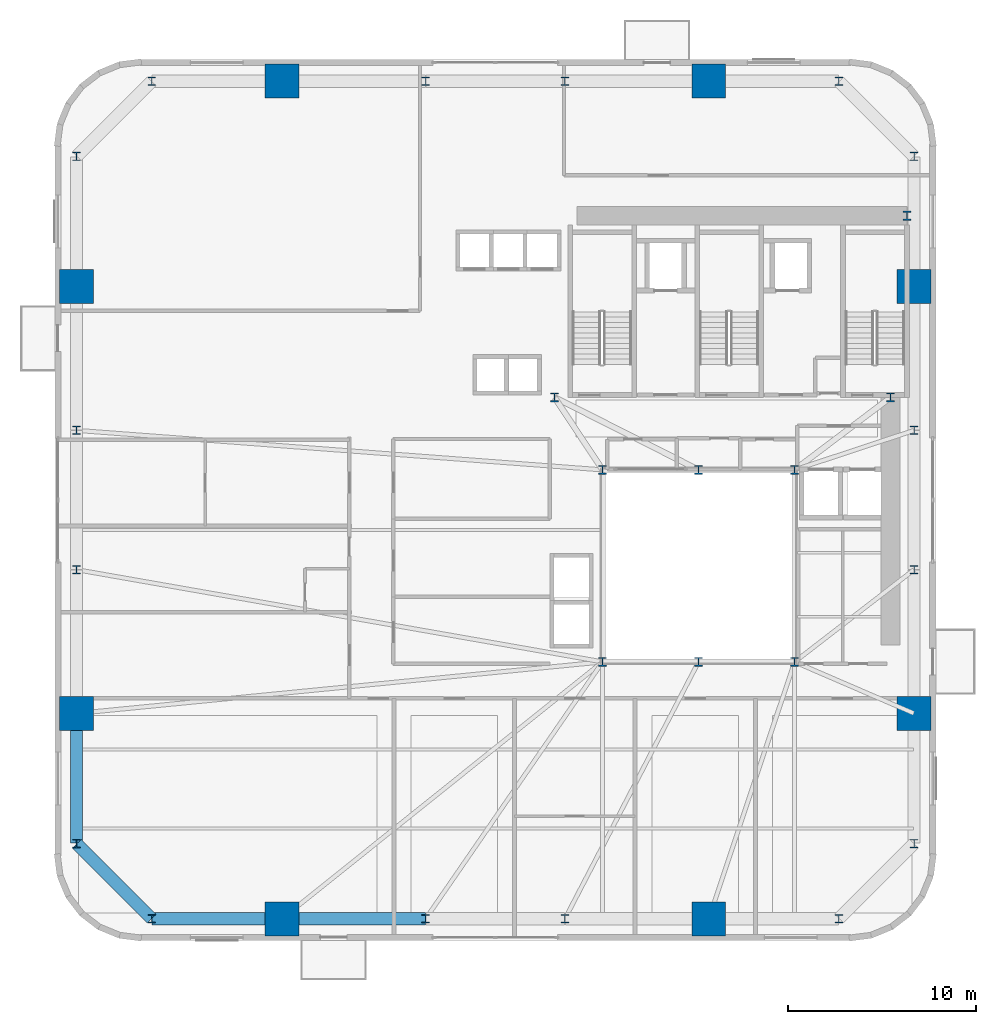
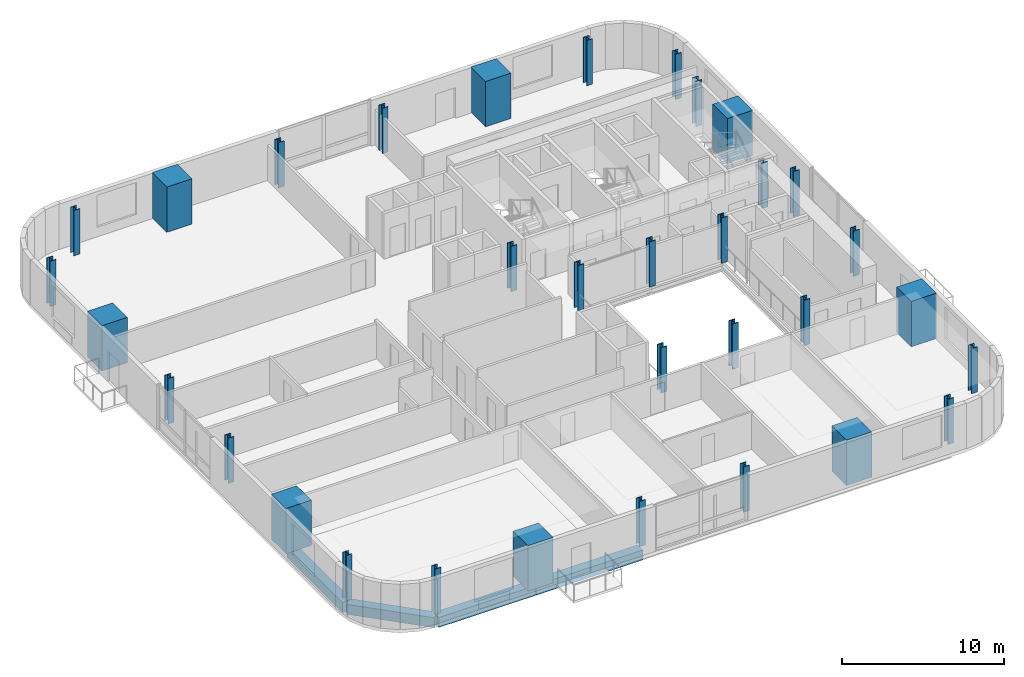
# One storey, part 1 of 13: 33 columns, 4 beams.
"""IFC4 building model written with IfcOpenShell, lengths in metres."""

from ifc_helpers import new_model, si_unit, direction, frame, origin, origin_2d, place, context, subcontext, project, spatial, rectangle, i_section, extrude, source, transform, mapped, material, material_profile, profile_set, type_object, element, save


model = new_model("IFC4")

# Units and contexts
model_context = context("Model", 3, precision=1e-05, world=origin(), true_north=direction((0.0, 1.0)))
body_context = subcontext(model_context, "Body", "Model", "MODEL_VIEW")
ifc_project = project(units=[si_unit("LENGTHUNIT", "METRE"), si_unit("AREAUNIT", "SQUARE_METRE"), si_unit("VOLUMEUNIT", "CUBIC_METRE"), si_unit("PLANEANGLEUNIT", "RADIAN"), si_unit("MASSUNIT", "GRAM", prefix="KILO")], contexts=[model_context])

# Site, building, storey
site_placement = place(None, origin())
site = spatial("IfcSite", under=ifc_project, at=site_placement, CompositionType="ELEMENT")
building_placement = place(site_placement, origin())
building = spatial("IfcBuilding", under=site, at=building_placement, Name="Vardaveli Station Tower", CompositionType="ELEMENT")
storey_placement = place(building_placement, frame((0.0, 0.0, 34.89990234375)))
storey = spatial("IfcBuildingStorey", under=building, at=storey_placement, Name="L08", CompositionType="ELEMENT", Elevation=34.89990234375)

# Columns
ifc_material_1 = material(Name="Structural steel S460M", Category="steel")
ifc_material_profile_1 = material_profile(ifc_material_1, i_section(OverallWidth=0.427978515625, OverallDepth=0.48095703125, WebThickness=0.03955078125, FlangeThickness=0.0634765625, FilletRadius=0.014892578125, at=origin_2d()), Name="HD 400x677")
ifc_profile_set_1 = profile_set([ifc_material_profile_1], Name="Structural steel S460M")
column_type_1 = type_object("IfcColumnType", Name="COL-HD677", PredefinedType="COLUMN", material=ifc_profile_set_1)
shared_shape_1 = source(origin(), body_context, "Body", "SweptSolid", [
    extrude(i_section(OverallWidth=0.427978515625, OverallDepth=0.48095703125, WebThickness=0.03955078125, FlangeThickness=0.0634765625, FilletRadius=0.014892578125, at=origin_2d()), origin(), (0.0, 0.0, 1.0), 3.41015625),
])
for number, where, z_axis, x_axis, name in (
    (1, (31.199951171875, 16.60009765625, 0.0), (0.0, 0.0, 1.0), (1.0, 0.0, 0.0), "COL-L08-AC1"),
    (2, (36.300048828125, 16.60009765625, 0.0), (0.0, 0.0, 1.0), (1.0, 0.0, 0.0), "COL-L08-AC2"),
    (3, (41.39990234375, 16.60009765625, 0.0), (0.0, 0.0, 1.0), (1.0, 0.0, 0.0), "COL-L08-AC3"),
    (4, (41.39990234375, 26.800048828125, 0.0), (0.0, 0.0, 1.0), (1.0, 0.0, 0.0), "COL-L08-AC4"),
    (5, (36.300048828125, 26.800048828125, 0.0), (0.0, 0.0, 1.0), (1.0, 0.0, 0.0), "COL-L08-AC5"),
    (6, (31.199951171875, 26.800048828125, 0.0), (0.0, 0.0, 1.0), (1.0, 0.0, 0.0), "COL-L08-AC6"),
    (7, (28.64990234375, 30.64990234375, 0.0), (0.0, 0.0, 1.0), (1.0, 0.0, 0.0), "COL-L08-CC1"),
    (8, (46.5, 30.64990234375, 0.0), (0.0, 0.0, 1.0), (1.0, 0.0, 0.0), "COL-L08-CC2"),
    (9, (47.3701171875, 40.300048828125, 0.0), (0.0, 0.0, 1.0), (1.0, 0.0, 0.0), "COL-L08-CC3"),
):
    element("IfcColumn", number, at=place(storey_placement, frame(where, z_axis=z_axis, x_axis=x_axis)), inside=storey, type_object=column_type_1, Name=name, PredefinedType="COLUMN", context=body_context, shape_type="MappedRepresentation", body=[
        mapped(shared_shape_1, transform((0.0, 0.0, 0.0), scale=1.0)),
    ])
ifc_material_2 = material(Name="Concrete C70/85", Category="concrete")
ifc_material_profile_2 = material_profile(ifc_material_2, rectangle(XDim=1.800048828125, YDim=1.800048828125, at=origin_2d()), Name="MC 1800x1800")
ifc_profile_set_2 = profile_set([ifc_material_profile_2], Name="Concrete C70/85")
column_type_2 = type_object("IfcColumnType", Name="COL-MC-1800", PredefinedType="COLUMN", material=ifc_profile_set_2)
shared_shape_2 = source(origin(), body_context, "Body", "SweptSolid", [
    extrude(rectangle(XDim=1.800048828125, YDim=1.800048828125, at=origin_2d()), origin(), (0.0, 0.0, 1.0), 3.41015625),
])
for number, where, z_axis, x_axis, name in (
    (10, (14.159912109375, 2.949951171875, 0.0), (0.0, 0.0, 1.0), (1.0, 0.0, 0.0), "COL-L08-MC1"),
    (11, (36.840087890625, 2.949951171875, 0.0), (0.0, 0.0, 1.0), (1.0, 0.0, 0.0), "COL-L08-MC2"),
    (12, (47.75, 13.860107421875, 0.0), (0.0, 0.0, 1.0), (1.0, 0.0, 0.0), "COL-L08-MC3"),
    (13, (47.75, 36.5400390625, 0.0), (0.0, 0.0, 1.0), (1.0, 0.0, 0.0), "COL-L08-MC4"),
    (14, (36.840087890625, 47.449951171875, 0.0), (0.0, 0.0, 1.0), (1.0, 0.0, 0.0), "COL-L08-MC5"),
    (15, (14.159912109375, 47.449951171875, 0.0), (0.0, 0.0, 1.0), (1.0, 0.0, 0.0), "COL-L08-MC6"),
    (16, (3.25, 36.5400390625, 0.0), (0.0, 0.0, 1.0), (1.0, 0.0, 0.0), "COL-L08-MC7"),
    (17, (3.25, 13.860107421875, 0.0), (0.0, 0.0, 1.0), (1.0, 0.0, 0.0), "COL-L08-MC8"),
):
    element("IfcColumn", number, at=place(storey_placement, frame(where, z_axis=z_axis, x_axis=x_axis)), inside=storey, type_object=column_type_2, Name=name, PredefinedType="COLUMN", context=body_context, shape_type="MappedRepresentation", body=[
        mapped(shared_shape_2, transform((0.0, 0.0, 0.0), scale=1.0)),
    ])
ifc_material_profile_3 = material_profile(ifc_material_1, i_section(OverallWidth=0.4189453125, OverallDepth=0.448974609375, WebThickness=0.030517578125, FlangeThickness=0.04833984375, FilletRadius=0.014892578125, at=origin_2d()), Name="HD 400x509")
ifc_profile_set_3 = profile_set([ifc_material_profile_3], Name="Structural steel S460M")
column_type_3 = type_object("IfcColumnType", Name="COL-HD509", PredefinedType="COLUMN", material=ifc_profile_set_3)
shared_shape_3 = source(origin(), body_context, "Body", "SweptSolid", [
    extrude(i_section(OverallWidth=0.4189453125, OverallDepth=0.448974609375, WebThickness=0.030517578125, FlangeThickness=0.04833984375, FilletRadius=0.014892578125, at=origin_2d()), origin(), (0.0, 0.0, 1.0), 3.41015625),
])
for number, where, z_axis, x_axis, name in (
    (18, (7.25, 2.949951171875, 0.0), (0.0, 0.0, 1.0), (1.0, 0.0, 0.0), "COL-L08-PC01"),
    (19, (21.800048828125, 2.949951171875, 0.0), (0.0, 0.0, 1.0), (1.0, 0.0, 0.0), "COL-L08-PC02"),
    (20, (29.199951171875, 2.949951171875, 0.0), (0.0, 0.0, 1.0), (1.0, 0.0, 0.0), "COL-L08-PC03"),
    (21, (43.75, 2.949951171875, 0.0), (0.0, 0.0, 1.0), (1.0, 0.0, 0.0), "COL-L08-PC04"),
    (22, (47.75, 6.949951171875, 0.0), (0.0, 0.0, 1.0), (1.0, 0.0, 0.0), "COL-L08-PC05"),
    (23, (47.75, 21.5, 0.0), (0.0, 0.0, 1.0), (1.0, 0.0, 0.0), "COL-L08-PC06"),
    (24, (47.75, 28.89990234375, 0.0), (0.0, 0.0, 1.0), (1.0, 0.0, 0.0), "COL-L08-PC07"),
    (25, (47.75, 43.449951171875, 0.0), (0.0, 0.0, 1.0), (1.0, 0.0, 0.0), "COL-L08-PC08"),
    (26, (43.75, 47.449951171875, 0.0), (0.0, 0.0, 1.0), (1.0, 0.0, 0.0), "COL-L08-PC09"),
    (27, (29.199951171875, 47.449951171875, 0.0), (0.0, 0.0, 1.0), (1.0, 0.0, 0.0), "COL-L08-PC10"),
    (28, (21.800048828125, 47.449951171875, 0.0), (0.0, 0.0, 1.0), (1.0, 0.0, 0.0), "COL-L08-PC11"),
    (29, (7.25, 47.449951171875, 0.0), (0.0, 0.0, 1.0), (1.0, 0.0, 0.0), "COL-L08-PC12"),
    (30, (3.25, 43.449951171875, 0.0), (0.0, 0.0, 1.0), (1.0, 0.0, 0.0), "COL-L08-PC13"),
    (31, (3.25, 28.89990234375, 0.0), (0.0, 0.0, 1.0), (1.0, 0.0, 0.0), "COL-L08-PC14"),
    (32, (3.25, 21.5, 0.0), (0.0, 0.0, 1.0), (1.0, 0.0, 0.0), "COL-L08-PC15"),
    (33, (3.25, 6.949951171875, 0.0), (0.0, 0.0, 1.0), (1.0, 0.0, 0.0), "COL-L08-PC16"),
):
    element("IfcColumn", number, at=place(storey_placement, frame(where, z_axis=z_axis, x_axis=x_axis)), inside=storey, type_object=column_type_3, Name=name, PredefinedType="COLUMN", context=body_context, shape_type="MappedRepresentation", body=[
        mapped(shared_shape_3, transform((0.0, 0.0, 0.0), scale=1.0)),
    ])

# Beams
ifc_material_3 = material(Name="Precast concrete C45/55", Category="concrete")
ifc_material_profile_4 = material_profile(ifc_material_3, rectangle(XDim=0.64990234375, YDim=0.75, at=origin_2d()), Name="LPB 650x750")
ifc_profile_set_4 = profile_set([ifc_material_profile_4], Name="Precast concrete C45/55")
beam_type = type_object("IfcBeamType", Name="BM-LPB-750", PredefinedType="BEAM", material=ifc_profile_set_4)
shared_shape_4 = source(origin(), body_context, "Body", "SweptSolid", [
    extrude(rectangle(XDim=0.64990234375, YDim=0.75, at=origin_2d()), origin(), (0.0, 0.0, 1.0), 7.60009765625),
])
beam_1_placement = place(storey_placement, frame((14.179931640625, 2.949951171875, -0.614990234375), z_axis=(1.0, 0.0, 0.0), x_axis=(0.0, 1.0, 0.0)))
element("IfcBeam", 34, at=beam_1_placement, inside=storey, type_object=beam_type, Name="RBM-L08-01", PredefinedType="BEAM", context=body_context, shape_type="MappedRepresentation", body=[
    mapped(shared_shape_4, transform((0.0, 0.0, 0.0), scale=1.0)),
])
shared_shape_5 = source(origin(), body_context, "Body", "SweptSolid", [
    extrude(rectangle(XDim=0.64990234375, YDim=0.75, at=origin_2d()), origin(), (0.0, 0.0, 1.0), 6.869873046875),
])
beam_2_placement = place(storey_placement, frame((7.27001953125, 2.949951171875, -0.614990234375), z_axis=(1.0, 0.0, 0.0), x_axis=(0.0, 1.0, 0.0)))
element("IfcBeam", 35, at=beam_2_placement, inside=storey, type_object=beam_type, Name="RBM-L08-24", PredefinedType="BEAM", context=body_context, shape_type="MappedRepresentation", body=[
    mapped(shared_shape_5, transform((0.0, 0.0, 0.0), scale=1.0)),
])
shared_shape_6 = source(origin(), body_context, "Body", "SweptSolid", [
    extrude(rectangle(XDim=0.64990234375, YDim=0.75, at=origin_2d()), origin(), (0.0, 0.0, 1.0), 5.61669921875),
])
beam_3_placement = place(storey_placement, frame((3.26416015625, 6.935791015625, -0.614990234375), z_axis=(0.707106781187, -0.707106781187, 0.0), x_axis=(0.707106781187, 0.707106781187, 0.0)))
element("IfcBeam", 36, at=beam_3_placement, inside=storey, type_object=beam_type, Name="RBM-L08-23", PredefinedType="BEAM", context=body_context, shape_type="MappedRepresentation", body=[
    mapped(shared_shape_6, transform((0.0, 0.0, 0.0), scale=1.0)),
])
shared_shape_7 = source(origin(), body_context, "Body", "SweptSolid", [
    extrude(rectangle(XDim=0.64990234375, YDim=0.75, at=origin_2d()), origin(), (0.0, 0.0, 1.0), 6.8701171875),
])
beam_4_placement = place(storey_placement, frame((3.25, 13.840087890625, -0.614990234375), z_axis=(0.0, -1.0, 0.0), x_axis=(1.0, 0.0, 0.0)))
element("IfcBeam", 37, at=beam_4_placement, inside=storey, type_object=beam_type, Name="RBM-L08-22", PredefinedType="BEAM", context=body_context, shape_type="MappedRepresentation", body=[
    mapped(shared_shape_7, transform((0.0, 0.0, 0.0), scale=1.0)),
])

save(model, "model.ifc")
